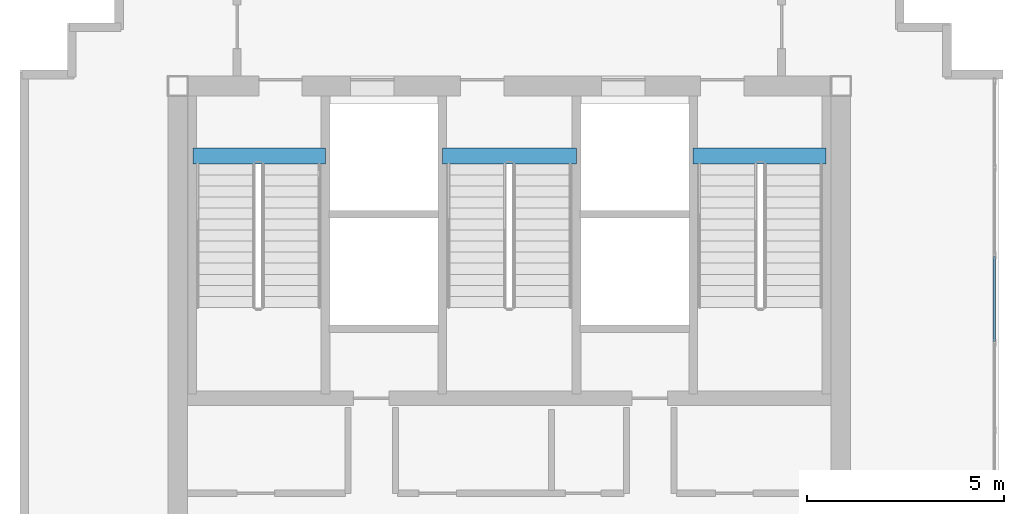
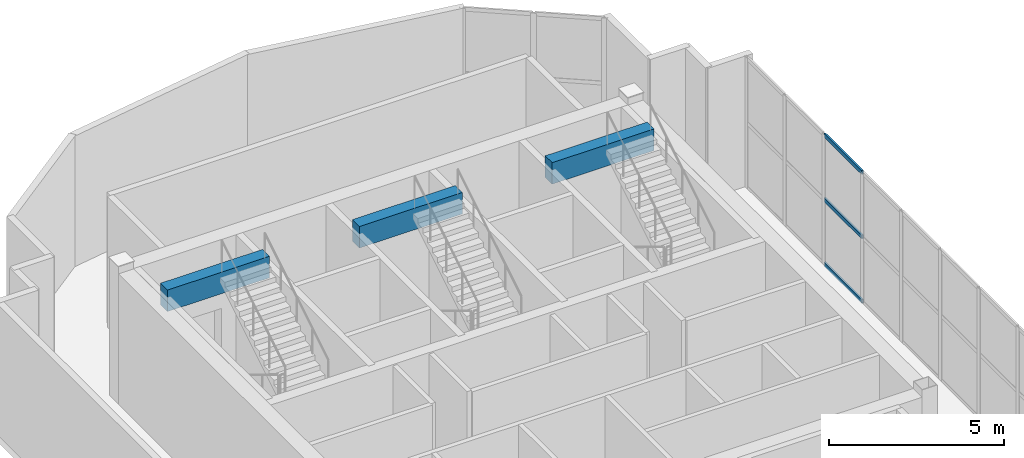
# One storey, part 4 of 9: 3 beams, 3 members, 1 element without a shape of its own.
"""IFC4 building model written with IfcOpenShell, lengths in metres."""

from ifc_helpers import new_model, si_unit, direction, frame, origin, origin_2d, place, context, subcontext, project, spatial, rectangle, hollow_rectangle, extrude, material, layer, layer_set, material_profile, profile_set, type_object, element, aggregate, save


model = new_model("IFC4")

# Units and contexts
model_context = context("Model", 3, precision=1e-05, world=origin(), true_north=direction((0.0, 1.0)))
body_context = subcontext(model_context, "Body", "Model", "MODEL_VIEW")
ifc_project = project(units=[si_unit("LENGTHUNIT", "METRE"), si_unit("AREAUNIT", "SQUARE_METRE"), si_unit("VOLUMEUNIT", "CUBIC_METRE"), si_unit("PLANEANGLEUNIT", "RADIAN"), si_unit("MASSUNIT", "GRAM", prefix="KILO")], contexts=[model_context])

# Site, building, storey
site_placement = place(None, origin())
site = spatial("IfcSite", under=ifc_project, at=site_placement, CompositionType="ELEMENT")
building_placement = place(site_placement, origin())
building = spatial("IfcBuilding", under=site, at=building_placement, Name="Haolan Belvedere Tower", CompositionType="ELEMENT")
storey_placement = place(building_placement, frame((0.0, 0.0, 328.199951171875)))
storey = spatial("IfcBuildingStorey", under=building, at=storey_placement, Name="L82", CompositionType="ELEMENT", Elevation=328.199951171875)

# Beams
ifc_material_1 = material(Name="Concrete C50/60", Category="concrete")
ifc_material_profile_1 = material_profile(ifc_material_1, rectangle(XDim=0.39990234375, YDim=0.75, at=origin_2d()), Name="Concrete C50/60")
ifc_profile_set_1 = profile_set([ifc_material_profile_1], Name="Concrete C50/60")
beam_type = type_object("IfcBeamType", Name="BM-RC400x750", PredefinedType="T_BEAM", material=ifc_profile_set_1)
beam_1_placement = place(storey_placement, frame((30.3798828125, 41.429931640625, 4.425048828125), z_axis=(1.0, 0.0, 0.0), x_axis=(0.0, 1.0, 0.0)))
element("IfcBeam", 1, at=beam_1_placement, inside=storey, type_object=beam_type, Name="L83 stair ST1 RC header trimmer beam", PredefinedType="BEAM", context=body_context, shape_type="SweptSolid", body=[
    extrude(rectangle(XDim=0.39990234375, YDim=0.75, at=origin_2d()), origin(), (0.0, 0.0, 1.0), 3.360107421875),
])
beam_2_placement = place(storey_placement, frame((36.699951171875, 41.429931640625, 4.425048828125), z_axis=(1.0, 0.0, 0.0), x_axis=(0.0, 1.0, 0.0)))
element("IfcBeam", 2, at=beam_2_placement, inside=storey, type_object=beam_type, Name="L83 stair ST3 RC header trimmer beam", PredefinedType="BEAM", context=body_context, shape_type="SweptSolid", body=[
    extrude(rectangle(XDim=0.39990234375, YDim=0.75, at=origin_2d()), origin(), (0.0, 0.0, 1.0), 3.400146484375),
])
beam_3_placement = place(storey_placement, frame((43.06005859375, 41.429931640625, 4.425048828125), z_axis=(1.0, 0.0, 0.0), x_axis=(0.0, 1.0, 0.0)))
element("IfcBeam", 3, at=beam_3_placement, inside=storey, type_object=beam_type, Name="L83 stair ST2 RC header trimmer beam", PredefinedType="BEAM", context=body_context, shape_type="SweptSolid", body=[
    extrude(rectangle(XDim=0.39990234375, YDim=0.75, at=origin_2d()), origin(), (0.0, 0.0, 1.0), 3.35986328125),
])

# Curtain wall, members
ifc_material_2 = material(Name="Anodised champagne-silver aluminium 6063-T6 and Low-E glass", Category="aluminium")
ifc_layer = layer(ifc_material_2, 0.172119140625, Name="Anodised champagne-silver aluminium 6063-T6 and Low-E glass")
ifc_layer_set = layer_set([ifc_layer], Name="Anodised champagne-silver aluminium 6063-T6 and Low-E glass")
curtain_wall_type = type_object("IfcCurtainWallType", Name="CW-SYS-07", PredefinedType="NOTDEFINED", material=ifc_layer_set)
curtain_wall_placement = place(storey_placement, origin())
curtain_wall = element("IfcCurtainWall", 4, at=curtain_wall_placement, inside=storey, type_object=curtain_wall_type, Name="L82 CW-SYS-07 ribbon curtain wall 4.1", PredefinedType="NOTDEFINED")
ifc_material_3 = material(Name="Anodised aluminium 6063-T6", Category="aluminium")
ifc_material_profile_2 = material_profile(ifc_material_3, hollow_rectangle(XDim=0.05810546875, YDim=0.135009765625, WallThickness=0.00390625, at=origin_2d()), Name="Anodised aluminium 6063-T6")
ifc_profile_set_2 = profile_set([ifc_material_profile_2], Name="Anodised aluminium 6063-T6")
member_type = type_object("IfcMemberType", Name="CW-SYS-07-TRN", PredefinedType="USERDEFINED", material=ifc_profile_set_2)
member_1_placement = place(storey_placement, frame((50.68994140625, 36.726806640625, 0.029052734375), z_axis=(0.0, 1.0, 0.0), x_axis=(-1.0, 0.0, 0.0)))
member_1 = element("IfcMember", 5, at=member_1_placement, type_object=member_type, Name="CW-07 transom 7.1", ObjectType="TRANSOM", PredefinedType="USERDEFINED", context=body_context, shape_type="SweptSolid", body=[
    extrude(hollow_rectangle(XDim=0.05810546875, YDim=0.135009765625, WallThickness=0.00390625, at=origin_2d()), origin(), (0.0, 0.0, 1.0), 2.156005859375),
])
member_2_placement = place(storey_placement, frame((50.68994140625, 36.726806640625, 2.275146484375), z_axis=(0.0, 1.0, 0.0), x_axis=(-1.0, 0.0, 0.0)))
member_2 = element("IfcMember", 6, at=member_2_placement, type_object=member_type, Name="CW-07 transom 7.2", ObjectType="TRANSOM", PredefinedType="USERDEFINED", context=body_context, shape_type="SweptSolid", body=[
    extrude(hollow_rectangle(XDim=0.05810546875, YDim=0.135009765625, WallThickness=0.00390625, at=origin_2d()), origin(), (0.0, 0.0, 1.0), 2.156005859375),
])
member_3_placement = place(storey_placement, frame((50.68994140625, 36.726806640625, 4.52099609375), z_axis=(0.0, 1.0, 0.0), x_axis=(-1.0, 0.0, 0.0)))
member_3 = element("IfcMember", 7, at=member_3_placement, type_object=member_type, Name="CW-07 transom 7.3", ObjectType="TRANSOM", PredefinedType="USERDEFINED", context=body_context, shape_type="SweptSolid", body=[
    extrude(hollow_rectangle(XDim=0.05810546875, YDim=0.135009765625, WallThickness=0.00390625, at=origin_2d()), origin(), (0.0, 0.0, 1.0), 2.156005859375),
])
aggregate(curtain_wall, [member_1, member_2, member_3])

save(model, "model.ifc")
